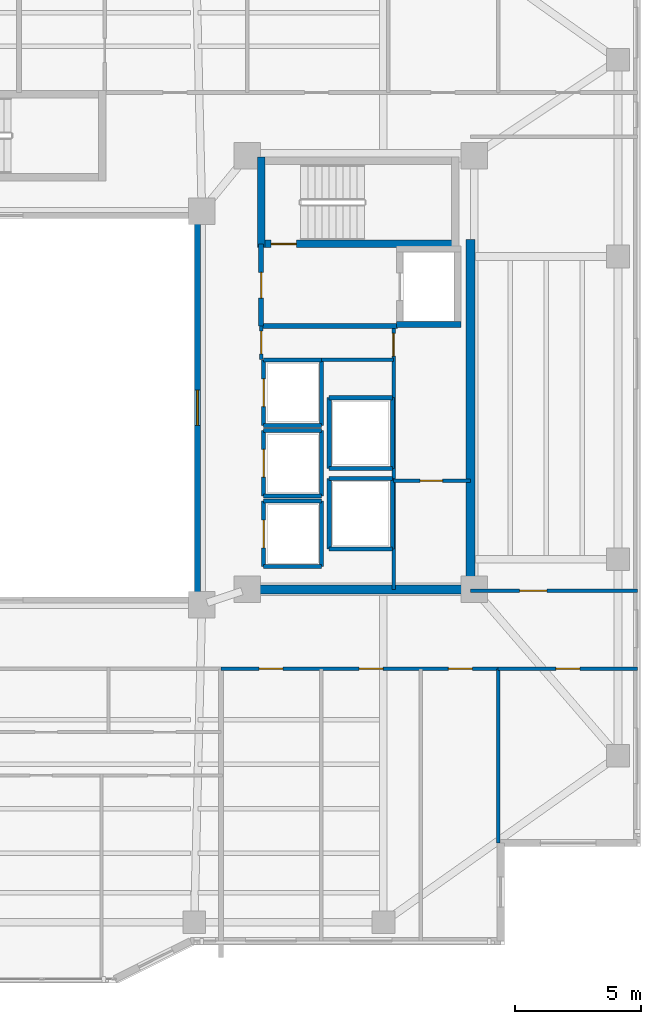
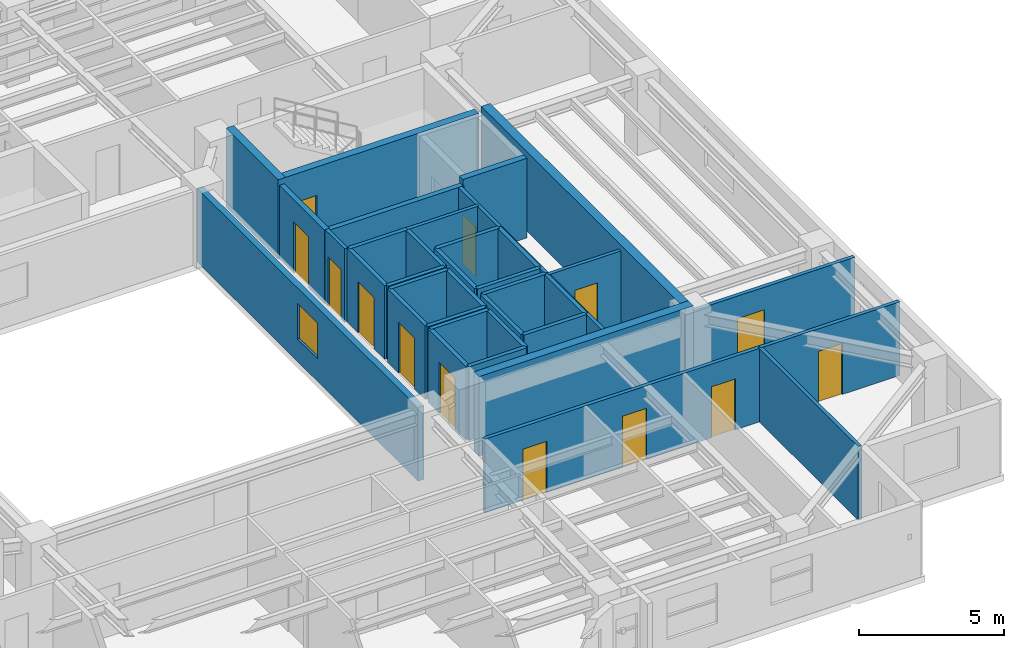
# One storey, part 8 of 15: 36 walls, 13 doors, 1 window, 14 openings.
"""IFC4 building model written with IfcOpenShell, lengths in metres."""

from ifc_helpers import new_model, si_unit, direction, frame, frame_2d, origin, place, context, subcontext, project, spatial, rectangle, extrude, material, layer, layer_set, type_object, element, fill, save


model = new_model("IFC4")

# Units and contexts
model_context = context("Model", 3, precision=1e-05, world=origin(), true_north=direction((0.0, 1.0)))
body_context = subcontext(model_context, "Body", "Model", "MODEL_VIEW")
ifc_project = project(units=[si_unit("LENGTHUNIT", "METRE"), si_unit("AREAUNIT", "SQUARE_METRE"), si_unit("VOLUMEUNIT", "CUBIC_METRE"), si_unit("PLANEANGLEUNIT", "RADIAN"), si_unit("MASSUNIT", "GRAM", prefix="KILO")], contexts=[model_context])

# Site, building, storey
site_placement = place(None, origin())
site = spatial("IfcSite", under=ifc_project, at=site_placement, CompositionType="ELEMENT")
building_placement = place(site_placement, origin())
building = spatial("IfcBuilding", under=site, at=building_placement, Name="Tarnavaz Court Tower", CompositionType="ELEMENT")
storey_placement = place(building_placement, frame((0.0, 0.0, 139.300048828125)))
storey = spatial("IfcBuildingStorey", under=building, at=storey_placement, Name="L37", CompositionType="ELEMENT", Elevation=139.300048828125)

# Wall
ifc_material_1 = material(Name="Concrete C50/60", Category="concrete")
ifc_layer_1 = layer(ifc_material_1, 0.25)
ifc_layer_set_1 = layer_set([ifc_layer_1], Name="Concrete C50/60")
wall_type_1 = type_object("IfcWallType", Name="WL-CORE-250-C50", PredefinedType="SHEAR", material=ifc_layer_set_1)
wall_1_placement = place(storey_placement, frame((15.52490234375, 3.300048828125, 0.0), z_axis=(0.0, 0.0, 1.0), x_axis=(1.0, 0.0, 0.0)))
element("IfcWall", 1, at=wall_1_placement, inside=storey, type_object=wall_type_1, Name="L37 Lift FL-E1 Shaft Wall 035", PredefinedType="SHEAR", context=body_context, shape_type="SweptSolid", body=[
    extrude(rectangle(XDim=2.550048828125, YDim=0.25, at=frame_2d((1.27490234375, 0.0))), origin(), (0.0, 0.0, 1.0), 3.349853515625),
])

# Wall, opening, door
ifc_layer_2 = layer(ifc_material_1, 0.300048828125)
ifc_layer_set_2 = layer_set([ifc_layer_2], Name="Concrete C50/60")
wall_type_2 = type_object("IfcWallType", Name="WL-CORE-300-C50", PredefinedType="SHEAR", material=ifc_layer_set_2)
wall_2_placement = place(storey_placement, frame((10.0, 6.5, 0.0), z_axis=(0.0, 0.0, 1.0), x_axis=(1.0, 0.0, 0.0)))
wall_2 = element("IfcWall", 2, at=wall_2_placement, inside=storey, type_object=wall_type_2, Name="L37 East Stair Core Wall 006", PredefinedType="SHEAR", context=body_context, shape_type="SweptSolid", body=[
    extrude(rectangle(XDim=8.0, YDim=0.300048828125, at=frame_2d((4.0, 0.0))), origin(), (0.0, 0.0, 1.0), 3.349853515625),
])
opening_1_placement = place(wall_2_placement, frame((0.550048828125, 0.0, 0.0)))
opening_1 = element("IfcOpeningElement", 3, at=opening_1_placement, cuts=wall_2, Name="Opening D01", PredefinedType="OPENING", context=body_context, shape_type="SweptSolid", body=[
    extrude(rectangle(XDim=1.0, YDim=2.14990234375, at=frame_2d((0.5, 1.074951171875))), frame((0.0, 0.159912109375, 0.0), z_axis=(0.0, -1.0, 0.0), x_axis=(1.0, 0.0, 0.0)), (0.0, 0.0, 1.0), 0.320068359375),
])
ifc_material_2 = material(Name="Fire-Rated Hardwood Timber Core", Category="wood")
door_type_1 = type_object("IfcDoorType", Name="DR-FD90-1000", OperationType="NOTDEFINED", PredefinedType="DOOR", material=ifc_material_2)
door_1_placement = place(opening_1_placement, origin())
door_1 = element("IfcDoor", 4, at=door_1_placement, inside=storey, type_object=door_type_1, Name="L37 Stair ST-E1 Exit Door", OperationType="SINGLE_SWING_RIGHT", OverallHeight=2.14990234375, OverallWidth=1.0, PredefinedType="DOOR", context=body_context, shape_type="SweptSolid", body=[
    extrude(rectangle(XDim=1.0, YDim=2.14990234375, at=frame_2d((0.5, 1.074951171875))), frame((0.0, 0.02490234375, 0.0), z_axis=(0.0, -1.0, 0.0), x_axis=(1.0, 0.0, 0.0)), (0.0, 0.0, 1.0), 0.050048828125),
])
fill(opening_1, door_1)

# Walls
wall_3_placement = place(storey_placement, frame((10.14990234375, 6.35009765625, 0.0), z_axis=(0.0, 0.0, 1.0), x_axis=(0.0, 1.0, 0.0)))
element("IfcWall", 5, at=wall_3_placement, inside=storey, type_object=wall_type_2, Name="L37 East Stair Core Wall 007", PredefinedType="SHEAR", context=body_context, shape_type="SweptSolid", body=[
    extrude(rectangle(XDim=3.58984375, YDim=0.300048828125, at=frame_2d((1.794921875, 0.0))), origin(), (0.0, 0.0, 1.0), 3.349853515625),
])
ifc_layer_3 = layer(ifc_material_1, 0.35009765625)
ifc_layer_set_3 = layer_set([ifc_layer_3], Name="Concrete C50/60")
wall_type_3 = type_object("IfcWallType", Name="WL-CORE-350-C50", PredefinedType="SHEAR", material=ifc_layer_set_3)
wall_4_placement = place(storey_placement, frame((18.449951171875, -7.375, 0.0), z_axis=(0.0, 0.0, 1.0), x_axis=(0.0, 1.0, 0.0)))
element("IfcWall", 6, at=wall_4_placement, inside=storey, type_object=wall_type_3, Name="L37 East Core Shear Wall 059", PredefinedType="SHEAR", context=body_context, shape_type="SweptSolid", body=[
    extrude(rectangle(XDim=14.050048828125, YDim=0.35009765625, at=frame_2d((7.02490234375, 0.0))), origin(), (0.0, 0.0, 1.0), 3.349853515625),
])
wall_5_placement = place(storey_placement, frame((10.074951171875, -7.199951171875, 0.0), z_axis=(0.0, 0.0, 1.0), x_axis=(1.0, 0.0, 0.0)))
element("IfcWall", 7, at=wall_5_placement, inside=storey, type_object=wall_type_3, Name="L37 East Core South Shear Wall 060", PredefinedType="SHEAR", context=body_context, shape_type="SweptSolid", body=[
    extrude(rectangle(XDim=8.550048828125, YDim=0.35009765625, at=frame_2d((4.27490234375, 0.0))), origin(), (0.0, 0.0, 1.0), 3.349853515625),
])

# Wall, openings, doors
ifc_material_3 = material(Name="Gypsum Fire-Board on Acoustic Metal Stud", Category="masonry")
ifc_layer_4 = layer(ifc_material_3, 0.14990234375)
ifc_layer_set_4 = layer_set([ifc_layer_4], Name="Gypsum Fire-Board on Acoustic Metal Stud")
wall_type_4 = type_object("IfcWallType", Name="WL-FIRE-150", PredefinedType="PARTITIONING", material=ifc_layer_set_4)
wall_6_placement = place(storey_placement, frame((8.550048828125, -10.35009765625, 0.0), z_axis=(0.0, 0.0, 1.0), x_axis=(1.0, 0.0, 0.0)))
wall_6 = element("IfcWall", 8, at=wall_6_placement, inside=storey, type_object=wall_type_4, Name="L37 SE Horseshoe Wall 074", PredefinedType="PARTITIONING", context=body_context, shape_type="SweptSolid", body=[
    extrude(rectangle(XDim=11.0, YDim=0.14990234375, at=frame_2d((5.5, 0.0))), origin(), (0.0, 0.0, 1.0), 3.099853515625),
])
opening_2_placement = place(wall_6_placement, frame((1.51611328125, 0.0, 0.0)))
opening_2 = element("IfcOpeningElement", 9, at=opening_2_placement, cuts=wall_6, Name="Opening D13", PredefinedType="OPENING", context=body_context, shape_type="SweptSolid", body=[
    extrude(rectangle(XDim=0.949951171875, YDim=2.14990234375, at=frame_2d((0.47509765625, 1.074951171875))), frame((0.0, 0.0849609375, 0.0), z_axis=(0.0, -1.0, 0.0), x_axis=(1.0, 0.0, 0.0)), (0.0, 0.0, 1.0), 0.169921875),
])
opening_3_placement = place(wall_6_placement, frame((5.488037109375, 0.0, 0.0)))
opening_3 = element("IfcOpeningElement", 10, at=opening_3_placement, cuts=wall_6, Name="Opening D13", PredefinedType="OPENING", context=body_context, shape_type="SweptSolid", body=[
    extrude(rectangle(XDim=0.949951171875, YDim=2.14990234375, at=frame_2d((0.47509765625, 1.074951171875))), frame((0.0, 0.0849609375, 0.0), z_axis=(0.0, -1.0, 0.0), x_axis=(1.0, 0.0, 0.0)), (0.0, 0.0, 1.0), 0.169921875),
])
opening_4_placement = place(wall_6_placement, frame((9.02197265625, 0.0, 0.0)))
opening_4 = element("IfcOpeningElement", 11, at=opening_4_placement, cuts=wall_6, Name="Opening D13", PredefinedType="OPENING", context=body_context, shape_type="SweptSolid", body=[
    extrude(rectangle(XDim=0.949951171875, YDim=2.14990234375, at=frame_2d((0.47509765625, 1.074951171875))), frame((0.0, 0.0849609375, 0.0), z_axis=(0.0, -1.0, 0.0), x_axis=(1.0, 0.0, 0.0)), (0.0, 0.0, 1.0), 0.169921875),
])
ifc_material_4 = material(Name="Engineered Oak Timber", Category="wood")
door_type_2 = type_object("IfcDoorType", Name="DR-INT-950", OperationType="NOTDEFINED", PredefinedType="DOOR", material=ifc_material_4)
door_2_placement = place(opening_2_placement, origin())
door_2 = element("IfcDoor", 12, at=door_2_placement, inside=storey, type_object=door_type_2, Name="L37 Resident Community Meeting Room Door", OperationType="SINGLE_SWING_RIGHT", OverallHeight=2.14990234375, OverallWidth=0.949951171875, PredefinedType="DOOR", context=body_context, shape_type="SweptSolid", body=[
    extrude(rectangle(XDim=0.949951171875, YDim=2.14990234375, at=frame_2d((0.47509765625, 1.074951171875))), frame((0.0, 0.02490234375, 0.0), z_axis=(0.0, -1.0, 0.0), x_axis=(1.0, 0.0, 0.0)), (0.0, 0.0, 1.0), 0.050048828125),
])
fill(opening_2, door_2)
door_3_placement = place(opening_3_placement, origin())
door_3 = element("IfcDoor", 13, at=door_3_placement, inside=storey, type_object=door_type_2, Name="L37 Craft and Maker Workshop Room Door", OperationType="SINGLE_SWING_LEFT", OverallHeight=2.14990234375, OverallWidth=0.949951171875, PredefinedType="DOOR", context=body_context, shape_type="SweptSolid", body=[
    extrude(rectangle(XDim=0.949951171875, YDim=2.14990234375, at=frame_2d((0.47509765625, 1.074951171875))), frame((0.0, 0.02490234375, 0.0), z_axis=(0.0, -1.0, 0.0), x_axis=(1.0, 0.0, 0.0)), (0.0, 0.0, 1.0), 0.050048828125),
])
fill(opening_3, door_3)
door_4_placement = place(opening_4_placement, origin())
door_4 = element("IfcDoor", 14, at=door_4_placement, inside=storey, type_object=door_type_2, Name="L37 Accessible Washroom WC Door", OperationType="SINGLE_SWING_RIGHT", OverallHeight=2.14990234375, OverallWidth=0.949951171875, PredefinedType="DOOR", context=body_context, shape_type="SweptSolid", body=[
    extrude(rectangle(XDim=0.949951171875, YDim=2.14990234375, at=frame_2d((0.47509765625, 1.074951171875))), frame((0.0, 0.02490234375, 0.0), z_axis=(0.0, -1.0, 0.0), x_axis=(1.0, 0.0, 0.0)), (0.0, 0.0, 1.0), 0.050048828125),
])
fill(opening_4, door_4)

# Wall, opening, door
wall_7_placement = place(storey_placement, frame((18.449951171875, -7.25, 0.0), z_axis=(0.0, 0.0, 1.0), x_axis=(1.0, 0.0, 0.0)))
wall_7 = element("IfcWall", 15, at=wall_7_placement, inside=storey, type_object=wall_type_4, Name="L37 Interior Partition 097", PredefinedType="PARTITIONING", context=body_context, shape_type="SweptSolid", body=[
    extrude(rectangle(XDim=6.630126953125, YDim=0.14990234375, at=frame_2d((3.31494140625, 0.0))), origin(), (0.0, 0.0, 1.0), 3.099853515625),
])
opening_5_placement = place(wall_7_placement, frame((1.949951171875, 0.0, 0.0)))
opening_5 = element("IfcOpeningElement", 16, at=opening_5_placement, cuts=wall_7, Name="Opening D12", PredefinedType="OPENING", context=body_context, shape_type="SweptSolid", body=[
    extrude(rectangle(XDim=1.080078125, YDim=2.14990234375, at=frame_2d((0.5400390625, 1.074951171875))), frame((0.0, 0.0849609375, 0.0), z_axis=(0.0, -1.0, 0.0), x_axis=(1.0, 0.0, 0.0)), (0.0, 0.0, 1.0), 0.169921875),
])
door_type_3 = type_object("IfcDoorType", Name="DR-INT-1100", OperationType="NOTDEFINED", PredefinedType="DOOR", material=ifc_material_4)
door_5_placement = place(opening_5_placement, origin())
door_5 = element("IfcDoor", 17, at=door_5_placement, inside=storey, type_object=door_type_3, Name="L37 East Fitness Lounge Door", OperationType="SINGLE_SWING_RIGHT", OverallHeight=2.14990234375, OverallWidth=1.080078125, PredefinedType="DOOR", context=body_context, shape_type="SweptSolid", body=[
    extrude(rectangle(XDim=1.080078125, YDim=2.14990234375, at=frame_2d((0.5400390625, 1.074951171875))), frame((0.0, 0.02490234375, 0.0), z_axis=(0.0, -1.0, 0.0), x_axis=(1.0, 0.0, 0.0)), (0.0, 0.0, 1.0), 0.050048828125),
])
fill(opening_5, door_5)

wall_8_placement = place(storey_placement, frame((19.550048828125, -10.35009765625, 0.0), z_axis=(0.0, 0.0, 1.0), x_axis=(1.0, 0.0, 0.0)))
wall_8 = element("IfcWall", 18, at=wall_8_placement, inside=storey, type_object=wall_type_4, Name="L37 Interior Partition 106", PredefinedType="PARTITIONING", context=body_context, shape_type="SweptSolid", body=[
    extrude(rectangle(XDim=5.530029296875, YDim=0.14990234375, at=frame_2d((2.76513671875, 0.0))), origin(), (0.0, 0.0, 1.0), 3.099853515625),
])
opening_6_placement = place(wall_8_placement, frame((2.2900390625, 0.0, 0.0)))
opening_6 = element("IfcOpeningElement", 19, at=opening_6_placement, cuts=wall_8, Name="Opening D13", PredefinedType="OPENING", context=body_context, shape_type="SweptSolid", body=[
    extrude(rectangle(XDim=0.949951171875, YDim=2.14990234375, at=frame_2d((0.47509765625, 1.074951171875))), frame((0.0, 0.0849609375, 0.0), z_axis=(0.0, -1.0, 0.0), x_axis=(1.0, 0.0, 0.0)), (0.0, 0.0, 1.0), 0.169921875),
])
door_6_placement = place(opening_6_placement, origin())
door_6 = element("IfcDoor", 20, at=door_6_placement, inside=storey, type_object=door_type_2, Name="L37 SE Reading Room Door", OperationType="SINGLE_SWING_RIGHT", OverallHeight=2.14990234375, OverallWidth=0.949951171875, PredefinedType="DOOR", context=body_context, shape_type="SweptSolid", body=[
    extrude(rectangle(XDim=0.949951171875, YDim=2.14990234375, at=frame_2d((0.47509765625, 1.074951171875))), frame((0.0, 0.02490234375, 0.0), z_axis=(0.0, -1.0, 0.0), x_axis=(1.0, 0.0, 0.0)), (0.0, 0.0, 1.0), 0.050048828125),
])
fill(opening_6, door_6)

# Wall
ifc_material_5 = material(Name="Autoclaved Aerated Concrete Blockwork", Category="masonry")
ifc_layer_5 = layer(ifc_material_5, 0.199951171875)
ifc_layer_set_5 = layer_set([ifc_layer_5], Name="Autoclaved Aerated Concrete Blockwork")
wall_type_5 = type_object("IfcWallType", Name="WL-FIRE-200", PredefinedType="SOLIDWALL", material=ifc_layer_set_5)
wall_9_placement = place(storey_placement, frame((10.14990234375, 3.25, 0.0), z_axis=(0.0, 0.0, 1.0), x_axis=(1.0, 0.0, 0.0)))
element("IfcWall", 21, at=wall_9_placement, inside=storey, type_object=wall_type_5, Name="L37 East Firefighting Lobby Wall 015", PredefinedType="SOLIDWALL", context=body_context, shape_type="SweptSolid", body=[
    extrude(rectangle(XDim=5.400146484375, YDim=0.199951171875, at=frame_2d((2.7001953125, 0.0))), origin(), (0.0, 0.0, 1.0), 3.099853515625),
])

# Wall, opening, door
wall_10_placement = place(storey_placement, frame((10.14990234375, 3.25, 0.0), z_axis=(0.0, 0.0, 1.0), x_axis=(0.0, 1.0, 0.0)))
wall_10 = element("IfcWall", 22, at=wall_10_placement, inside=storey, type_object=wall_type_5, Name="L37 East Firefighting Lobby Wall 016", PredefinedType="SOLIDWALL", context=body_context, shape_type="SweptSolid", body=[
    extrude(rectangle(XDim=3.25, YDim=0.199951171875, at=frame_2d((1.625, 0.0))), origin(), (0.0, 0.0, 1.0), 3.099853515625),
])
opening_7_placement = place(wall_10_placement, frame((1.10009765625, 0.0, 0.0)))
opening_7 = element("IfcOpeningElement", 23, at=opening_7_placement, cuts=wall_10, Name="Opening D05", PredefinedType="OPENING", context=body_context, shape_type="SweptSolid", body=[
    extrude(rectangle(XDim=1.02001953125, YDim=2.14990234375, at=frame_2d((0.510009765625, 1.074951171875))), frame((0.0, 0.10986328125, 0.0), z_axis=(0.0, -1.0, 0.0), x_axis=(1.0, 0.0, 0.0)), (0.0, 0.0, 1.0), 0.219970703125),
])
door_type_4 = type_object("IfcDoorType", Name="DR-FD60-1000", OperationType="NOTDEFINED", PredefinedType="DOOR", material=ifc_material_2)
door_7_placement = place(opening_7_placement, origin())
door_7 = element("IfcDoor", 24, at=door_7_placement, inside=storey, type_object=door_type_4, Name="L37 East Firefighting Lobby Door", OperationType="SINGLE_SWING_LEFT", OverallHeight=2.14990234375, OverallWidth=1.02001953125, PredefinedType="DOOR", context=body_context, shape_type="SweptSolid", body=[
    extrude(rectangle(XDim=1.02001953125, YDim=2.14990234375, at=frame_2d((0.510009765625, 1.074951171875))), frame((0.0, 0.02490234375, 0.0), z_axis=(0.0, -1.0, 0.0), x_axis=(1.0, 0.0, 0.0)), (0.0, 0.0, 1.0), 0.050048828125),
])
fill(opening_7, door_7)

# Wall
ifc_material_6 = material(Name="Gypsum Plasterboard Acoustic Partition", Category="masonry")
ifc_layer_6 = layer(ifc_material_6, 0.139892578125)
ifc_layer_set_6 = layer_set([ifc_layer_6], Name="Gypsum Plasterboard Acoustic Partition")
wall_type_6 = type_object("IfcWallType", Name="WL-PART-150", PredefinedType="PARTITIONING", material=ifc_layer_set_6)
wall_11_placement = place(storey_placement, frame((12.550048828125, 1.89990234375, 0.0), z_axis=(0.0, 0.0, 1.0), x_axis=(1.0, 0.0, 0.0)))
element("IfcWall", 25, at=wall_11_placement, inside=storey, type_object=wall_type_6, Name="L37 Interior Partition 067", PredefinedType="PARTITIONING", context=body_context, shape_type="SweptSolid", body=[
    extrude(rectangle(XDim=2.849853515625, YDim=0.139892578125, at=frame_2d((1.4248046875, 0.0))), origin(), (0.0, 0.0, 1.0), 3.099853515625),
])

# Wall, opening, door
wall_12_placement = place(storey_placement, frame((10.14990234375, 1.919921875, 0.0), z_axis=(0.0, 0.0, 1.0), x_axis=(0.0, 1.0, 0.0)))
wall_12 = element("IfcWall", 26, at=wall_12_placement, inside=storey, type_object=wall_type_6, Name="L37 Interior Partition 068", PredefinedType="PARTITIONING", context=body_context, shape_type="SweptSolid", body=[
    extrude(rectangle(XDim=1.330078125, YDim=0.139892578125, at=frame_2d((0.6650390625, 0.0))), origin(), (0.0, 0.0, 1.0), 3.099853515625),
])
opening_8_placement = place(wall_12_placement, frame((0.219970703125, 0.0, 0.0)))
opening_8 = element("IfcOpeningElement", 27, at=opening_8_placement, cuts=wall_12, Name="Opening D09", PredefinedType="OPENING", context=body_context, shape_type="SweptSolid", body=[
    extrude(rectangle(XDim=0.89990234375, YDim=2.080078125, at=frame_2d((0.449951171875, 1.0400390625))), frame((0.0, 0.079833984375, 0.0), z_axis=(0.0, -1.0, 0.0), x_axis=(1.0, 0.0, 0.0)), (0.0, 0.0, 1.0), 0.159912109375),
])
door_type_5 = type_object("IfcDoorType", Name="DR-FD30-900", OperationType="NOTDEFINED", PredefinedType="DOOR", material=ifc_material_2)
door_8_placement = place(opening_8_placement, origin())
door_8 = element("IfcDoor", 28, at=door_8_placement, inside=storey, type_object=door_type_5, Name="L37 East Core Service Lobby Door", OperationType="SINGLE_SWING_RIGHT", OverallHeight=2.080078125, OverallWidth=0.89990234375, PredefinedType="DOOR", context=body_context, shape_type="SweptSolid", body=[
    extrude(rectangle(XDim=0.89990234375, YDim=2.080078125, at=frame_2d((0.449951171875, 1.0400390625))), frame((0.0, 0.02490234375, 0.0), z_axis=(0.0, -1.0, 0.0), x_axis=(1.0, 0.0, 0.0)), (0.0, 0.0, 1.0), 0.050048828125),
])
fill(opening_8, door_8)

wall_13_placement = place(storey_placement, frame((15.39990234375, -7.199951171875, 0.0), z_axis=(0.0, 0.0, 1.0), x_axis=(0.0, 1.0, 0.0)))
wall_13 = element("IfcWall", 29, at=wall_13_placement, inside=storey, type_object=wall_type_6, Name="L37 Interior Partition 069", PredefinedType="PARTITIONING", context=body_context, shape_type="SweptSolid", body=[
    extrude(rectangle(XDim=10.449951171875, YDim=0.139892578125, at=frame_2d((5.22509765625, 0.0))), origin(), (0.0, 0.0, 1.0), 3.099853515625),
])
opening_9_placement = place(wall_13_placement, frame((9.25, 0.0, 0.0)))
opening_9 = element("IfcOpeningElement", 30, at=opening_9_placement, cuts=wall_13, Name="Opening D09", PredefinedType="OPENING", context=body_context, shape_type="SweptSolid", body=[
    extrude(rectangle(XDim=0.89990234375, YDim=2.080078125, at=frame_2d((0.449951171875, 1.0400390625))), frame((0.0, 0.079833984375, 0.0), z_axis=(0.0, -1.0, 0.0), x_axis=(1.0, 0.0, 0.0)), (0.0, 0.0, 1.0), 0.159912109375),
])
door_9_placement = place(opening_9_placement, origin())
door_9 = element("IfcDoor", 31, at=door_9_placement, inside=storey, type_object=door_type_5, Name="L37 East Wet Riser Door", OperationType="SINGLE_SWING_LEFT", OverallHeight=2.080078125, OverallWidth=0.89990234375, PredefinedType="DOOR", context=body_context, shape_type="SweptSolid", body=[
    extrude(rectangle(XDim=0.89990234375, YDim=2.080078125, at=frame_2d((0.449951171875, 1.0400390625))), frame((0.0, 0.02490234375, 0.0), z_axis=(0.0, -1.0, 0.0), x_axis=(1.0, 0.0, 0.0)), (0.0, 0.0, 1.0), 0.050048828125),
])
fill(opening_9, door_9)

wall_14_placement = place(storey_placement, frame((15.39990234375, -2.889892578125, 0.0), z_axis=(0.0, 0.0, 1.0), x_axis=(1.0, 0.0, 0.0)))
wall_14 = element("IfcWall", 32, at=wall_14_placement, inside=storey, type_object=wall_type_6, Name="L37 Interior Partition 070", PredefinedType="PARTITIONING", context=body_context, shape_type="SweptSolid", body=[
    extrude(rectangle(XDim=3.050048828125, YDim=0.139892578125, at=frame_2d((1.52490234375, 0.0))), origin(), (0.0, 0.0, 1.0), 3.099853515625),
])
opening_10_placement = place(wall_14_placement, frame((1.050048828125, 0.0, 0.0)))
opening_10 = element("IfcOpeningElement", 33, at=opening_10_placement, cuts=wall_14, Name="Opening D09", PredefinedType="OPENING", context=body_context, shape_type="SweptSolid", body=[
    extrude(rectangle(XDim=0.89990234375, YDim=2.080078125, at=frame_2d((0.449951171875, 1.0400390625))), frame((0.0, 0.079833984375, 0.0), z_axis=(0.0, -1.0, 0.0), x_axis=(1.0, 0.0, 0.0)), (0.0, 0.0, 1.0), 0.159912109375),
])
door_10_placement = place(opening_10_placement, origin())
door_10 = element("IfcDoor", 34, at=door_10_placement, inside=storey, type_object=door_type_5, Name="L37 East Electrical Plant Door", OperationType="SINGLE_SWING_RIGHT", OverallHeight=2.080078125, OverallWidth=0.89990234375, PredefinedType="DOOR", context=body_context, shape_type="SweptSolid", body=[
    extrude(rectangle(XDim=0.89990234375, YDim=2.080078125, at=frame_2d((0.449951171875, 1.0400390625))), frame((0.0, 0.02490234375, 0.0), z_axis=(0.0, -1.0, 0.0), x_axis=(1.0, 0.0, 0.0)), (0.0, 0.0, 1.0), 0.050048828125),
])
fill(opening_10, door_10)

# Wall
wall_15_placement = place(storey_placement, frame((19.550048828125, -17.25, 0.0), z_axis=(0.0, 0.0, 1.0), x_axis=(0.0, 1.0, 0.0)))
element("IfcWall", 35, at=wall_15_placement, inside=storey, type_object=wall_type_6, Name="L37 Interior Partition 100", PredefinedType="PARTITIONING", context=body_context, shape_type="SweptSolid", body=[
    extrude(rectangle(XDim=6.89990234375, YDim=0.139892578125, at=frame_2d((3.449951171875, 0.0))), origin(), (0.0, 0.0, 1.0), 3.099853515625),
])

# Wall, opening, door
ifc_layer_7 = layer(ifc_material_5, 0.159912109375)
ifc_layer_set_7 = layer_set([ifc_layer_7], Name="Autoclaved Aerated Concrete Blockwork")
wall_type_7 = type_object("IfcWallType", Name="WL-SHAFT-150", PredefinedType="SOLIDWALL", material=ifc_layer_set_7)
wall_16_placement = place(storey_placement, frame((10.25, -6.300048828125, 0.0), z_axis=(0.0, 0.0, 1.0), x_axis=(0.0, 1.0, 0.0)))
wall_16 = element("IfcWall", 36, at=wall_16_placement, inside=storey, type_object=wall_type_7, Name="L37 Lift PL-M1 Shaft Wall 037", PredefinedType="SOLIDWALL", context=body_context, shape_type="SweptSolid", body=[
    extrude(rectangle(XDim=2.60009765625, YDim=0.159912109375, at=frame_2d((1.300048828125, 0.0))), origin(), (0.0, 0.0, 1.0), 3.099853515625),
])
opening_11_placement = place(wall_16_placement, frame((0.75, 0.0, 0.0)))
opening_11 = element("IfcOpeningElement", 37, at=opening_11_placement, cuts=wall_16, Name="Opening LD1", PredefinedType="OPENING", context=body_context, shape_type="SweptSolid", body=[
    extrude(rectangle(XDim=1.10009765625, YDim=2.14990234375, at=frame_2d((0.550048828125, 1.074951171875))), frame((0.0, 0.08984375, 0.0), z_axis=(0.0, -1.0, 0.0), x_axis=(1.0, 0.0, 0.0)), (0.0, 0.0, 1.0), 0.179931640625),
])
ifc_material_7 = material(Name="Stainless Steel", Category="steel")
door_type_6 = type_object("IfcDoorType", Name="DR-LD-1100", OperationType="NOTDEFINED", PredefinedType="DOOR", material=ifc_material_7)
door_11_placement = place(opening_11_placement, origin())
door_11 = element("IfcDoor", 38, at=door_11_placement, inside=storey, type_object=door_type_6, Name="L37 Lift Landing Door LD-PL-M1", OperationType="SLIDING_TO_LEFT", OverallHeight=2.14990234375, OverallWidth=1.10009765625, PredefinedType="DOOR", context=body_context, shape_type="SweptSolid", body=[
    extrude(rectangle(XDim=1.10009765625, YDim=2.14990234375, at=frame_2d((0.550048828125, 1.074951171875))), frame((0.0, 0.02490234375, 0.0), z_axis=(0.0, -1.0, 0.0), x_axis=(1.0, 0.0, 0.0)), (0.0, 0.0, 1.0), 0.050048828125),
])
fill(opening_11, door_11)

# Walls
wall_17_placement = place(storey_placement, frame((12.550048828125, -6.300048828125, 0.0), z_axis=(0.0, 0.0, 1.0), x_axis=(0.0, 1.0, 0.0)))
element("IfcWall", 39, at=wall_17_placement, inside=storey, type_object=wall_type_7, Name="L37 Lift PL-M1 Shaft Wall 038", PredefinedType="SOLIDWALL", context=body_context, shape_type="SweptSolid", body=[
    extrude(rectangle(XDim=2.60009765625, YDim=0.159912109375, at=frame_2d((1.300048828125, 0.0))), origin(), (0.0, 0.0, 1.0), 3.099853515625),
])
for number, where, z_axis, x_axis, name in (
    (40, (10.25, -6.300048828125, 0.0), (0.0, 0.0, 1.0), (1.0, 0.0, 0.0), "L37 Lift PL-M1 Shaft Wall 039"),
    (41, (10.25, -3.699951171875, 0.0), (0.0, 0.0, 1.0), (1.0, 0.0, 0.0), "L37 Lift PL-M1 Shaft Wall 040"),
):
    element("IfcWall", number, at=place(storey_placement, frame(where, z_axis=z_axis, x_axis=x_axis)), inside=storey, type_object=wall_type_7, Name=name, PredefinedType="SOLIDWALL", context=body_context, shape_type="SweptSolid", body=[
        extrude(rectangle(XDim=2.300048828125, YDim=0.159912109375, at=frame_2d((1.14990234375, 0.0))), origin(), (0.0, 0.0, 1.0), 3.099853515625),
    ])

# Wall, opening, door
wall_18_placement = place(storey_placement, frame((10.25, -3.5, 0.0), z_axis=(0.0, 0.0, 1.0), x_axis=(0.0, 1.0, 0.0)))
wall_18 = element("IfcWall", 42, at=wall_18_placement, inside=storey, type_object=wall_type_7, Name="L37 Lift PL-M2 Shaft Wall 041", PredefinedType="SOLIDWALL", context=body_context, shape_type="SweptSolid", body=[
    extrude(rectangle(XDim=2.60009765625, YDim=0.159912109375, at=frame_2d((1.300048828125, 0.0))), origin(), (0.0, 0.0, 1.0), 3.099853515625),
])
opening_12_placement = place(wall_18_placement, frame((0.75, 0.0, 0.0)))
opening_12 = element("IfcOpeningElement", 43, at=opening_12_placement, cuts=wall_18, Name="Opening LD1", PredefinedType="OPENING", context=body_context, shape_type="SweptSolid", body=[
    extrude(rectangle(XDim=1.10009765625, YDim=2.14990234375, at=frame_2d((0.550048828125, 1.074951171875))), frame((0.0, 0.08984375, 0.0), z_axis=(0.0, -1.0, 0.0), x_axis=(1.0, 0.0, 0.0)), (0.0, 0.0, 1.0), 0.179931640625),
])
door_12_placement = place(opening_12_placement, origin())
door_12 = element("IfcDoor", 44, at=door_12_placement, inside=storey, type_object=door_type_6, Name="L37 Lift Landing Door LD-PL-M2", OperationType="SLIDING_TO_LEFT", OverallHeight=2.14990234375, OverallWidth=1.10009765625, PredefinedType="DOOR", context=body_context, shape_type="SweptSolid", body=[
    extrude(rectangle(XDim=1.10009765625, YDim=2.14990234375, at=frame_2d((0.550048828125, 1.074951171875))), frame((0.0, 0.02490234375, 0.0), z_axis=(0.0, -1.0, 0.0), x_axis=(1.0, 0.0, 0.0)), (0.0, 0.0, 1.0), 0.050048828125),
])
fill(opening_12, door_12)

# Walls
wall_19_placement = place(storey_placement, frame((12.550048828125, -3.5, 0.0), z_axis=(0.0, 0.0, 1.0), x_axis=(0.0, 1.0, 0.0)))
element("IfcWall", 45, at=wall_19_placement, inside=storey, type_object=wall_type_7, Name="L37 Lift PL-M2 Shaft Wall 042", PredefinedType="SOLIDWALL", context=body_context, shape_type="SweptSolid", body=[
    extrude(rectangle(XDim=2.60009765625, YDim=0.159912109375, at=frame_2d((1.300048828125, 0.0))), origin(), (0.0, 0.0, 1.0), 3.099853515625),
])
for number, where, z_axis, x_axis, name in (
    (46, (10.25, -3.5, 0.0), (0.0, 0.0, 1.0), (1.0, 0.0, 0.0), "L37 Lift PL-M2 Shaft Wall 043"),
    (47, (10.25, -0.89990234375, 0.0), (0.0, 0.0, 1.0), (1.0, 0.0, 0.0), "L37 Lift PL-M2 Shaft Wall 044"),
):
    element("IfcWall", number, at=place(storey_placement, frame(where, z_axis=z_axis, x_axis=x_axis)), inside=storey, type_object=wall_type_7, Name=name, PredefinedType="SOLIDWALL", context=body_context, shape_type="SweptSolid", body=[
        extrude(rectangle(XDim=2.300048828125, YDim=0.159912109375, at=frame_2d((1.14990234375, 0.0))), origin(), (0.0, 0.0, 1.0), 3.099853515625),
    ])

# Wall, opening, door
wall_20_placement = place(storey_placement, frame((10.25, -0.699951171875, 0.0), z_axis=(0.0, 0.0, 1.0), x_axis=(0.0, 1.0, 0.0)))
wall_20 = element("IfcWall", 48, at=wall_20_placement, inside=storey, type_object=wall_type_7, Name="L37 Lift PL-M3 Shaft Wall 045", PredefinedType="SOLIDWALL", context=body_context, shape_type="SweptSolid", body=[
    extrude(rectangle(XDim=2.599853515625, YDim=0.159912109375, at=frame_2d((1.2998046875, 0.0))), origin(), (0.0, 0.0, 1.0), 3.099853515625),
])
opening_13_placement = place(wall_20_placement, frame((0.75, 0.0, 0.0)))
opening_13 = element("IfcOpeningElement", 49, at=opening_13_placement, cuts=wall_20, Name="Opening LD1", PredefinedType="OPENING", context=body_context, shape_type="SweptSolid", body=[
    extrude(rectangle(XDim=1.10009765625, YDim=2.14990234375, at=frame_2d((0.550048828125, 1.074951171875))), frame((0.0, 0.08984375, 0.0), z_axis=(0.0, -1.0, 0.0), x_axis=(1.0, 0.0, 0.0)), (0.0, 0.0, 1.0), 0.179931640625),
])
door_13_placement = place(opening_13_placement, origin())
door_13 = element("IfcDoor", 50, at=door_13_placement, inside=storey, type_object=door_type_6, Name="L37 Lift Landing Door LD-PL-M3", OperationType="SLIDING_TO_LEFT", OverallHeight=2.14990234375, OverallWidth=1.10009765625, PredefinedType="DOOR", context=body_context, shape_type="SweptSolid", body=[
    extrude(rectangle(XDim=1.10009765625, YDim=2.14990234375, at=frame_2d((0.550048828125, 1.074951171875))), frame((0.0, 0.02490234375, 0.0), z_axis=(0.0, -1.0, 0.0), x_axis=(1.0, 0.0, 0.0)), (0.0, 0.0, 1.0), 0.050048828125),
])
fill(opening_13, door_13)

# Walls
wall_21_placement = place(storey_placement, frame((12.550048828125, -0.699951171875, 0.0), z_axis=(0.0, 0.0, 1.0), x_axis=(0.0, 1.0, 0.0)))
element("IfcWall", 51, at=wall_21_placement, inside=storey, type_object=wall_type_7, Name="L37 Lift PL-M3 Shaft Wall 046", PredefinedType="SOLIDWALL", context=body_context, shape_type="SweptSolid", body=[
    extrude(rectangle(XDim=2.599853515625, YDim=0.159912109375, at=frame_2d((1.2998046875, 0.0))), origin(), (0.0, 0.0, 1.0), 3.099853515625),
])
for number, where, z_axis, x_axis, name in (
    (52, (10.25, -0.699951171875, 0.0), (0.0, 0.0, 1.0), (1.0, 0.0, 0.0), "L37 Lift PL-M3 Shaft Wall 047"),
    (53, (10.25, 1.89990234375, 0.0), (0.0, 0.0, 1.0), (1.0, 0.0, 0.0), "L37 Lift PL-M3 Shaft Wall 048"),
):
    element("IfcWall", number, at=place(storey_placement, frame(where, z_axis=z_axis, x_axis=x_axis)), inside=storey, type_object=wall_type_7, Name=name, PredefinedType="SOLIDWALL", context=body_context, shape_type="SweptSolid", body=[
        extrude(rectangle(XDim=2.300048828125, YDim=0.159912109375, at=frame_2d((1.14990234375, 0.0))), origin(), (0.0, 0.0, 1.0), 3.099853515625),
    ])
for number, where, z_axis, x_axis, name in (
    (54, (12.85009765625, -5.60009765625, 0.0), (0.0, 0.0, 1.0), (0.0, 1.0, 0.0), "L37 Lift PL-OB1 Shaft Wall 049"),
    (55, (15.35009765625, -5.60009765625, 0.0), (0.0, 0.0, 1.0), (0.0, 1.0, 0.0), "L37 Lift PL-OB1 Shaft Wall 050"),
):
    element("IfcWall", number, at=place(storey_placement, frame(where, z_axis=z_axis, x_axis=x_axis)), inside=storey, type_object=wall_type_7, Name=name, PredefinedType="SOLIDWALL", context=body_context, shape_type="SweptSolid", body=[
        extrude(rectangle(XDim=2.800048828125, YDim=0.159912109375, at=frame_2d((1.39990234375, 0.0))), origin(), (0.0, 0.0, 1.0), 3.099853515625),
    ])
for number, where, z_axis, x_axis, name in (
    (56, (12.85009765625, -5.60009765625, 0.0), (0.0, 0.0, 1.0), (1.0, 0.0, 0.0), "L37 Lift PL-OB1 Shaft Wall 051"),
    (57, (12.85009765625, -2.800048828125, 0.0), (0.0, 0.0, 1.0), (1.0, 0.0, 0.0), "L37 Lift PL-OB1 Shaft Wall 052"),
):
    element("IfcWall", number, at=place(storey_placement, frame(where, z_axis=z_axis, x_axis=x_axis)), inside=storey, type_object=wall_type_7, Name=name, PredefinedType="SOLIDWALL", context=body_context, shape_type="SweptSolid", body=[
        extrude(rectangle(XDim=2.5, YDim=0.159912109375, at=frame_2d((1.25, 0.0))), origin(), (0.0, 0.0, 1.0), 3.099853515625),
    ])
for number, where, z_axis, x_axis, name in (
    (58, (12.85009765625, -2.39990234375, 0.0), (0.0, 0.0, 1.0), (0.0, 1.0, 0.0), "L37 Lift PL-OB2 Shaft Wall 053"),
    (59, (15.35009765625, -2.39990234375, 0.0), (0.0, 0.0, 1.0), (0.0, 1.0, 0.0), "L37 Lift PL-OB2 Shaft Wall 054"),
):
    element("IfcWall", number, at=place(storey_placement, frame(where, z_axis=z_axis, x_axis=x_axis)), inside=storey, type_object=wall_type_7, Name=name, PredefinedType="SOLIDWALL", context=body_context, shape_type="SweptSolid", body=[
        extrude(rectangle(XDim=2.7998046875, YDim=0.159912109375, at=frame_2d((1.39990234375, 0.0))), origin(), (0.0, 0.0, 1.0), 3.099853515625),
    ])
for number, where, z_axis, x_axis, name in (
    (60, (12.85009765625, -2.39990234375, 0.0), (0.0, 0.0, 1.0), (1.0, 0.0, 0.0), "L37 Lift PL-OB2 Shaft Wall 055"),
    (61, (12.85009765625, 0.39990234375, 0.0), (0.0, 0.0, 1.0), (1.0, 0.0, 0.0), "L37 Lift PL-OB2 Shaft Wall 056"),
):
    element("IfcWall", number, at=place(storey_placement, frame(where, z_axis=z_axis, x_axis=x_axis)), inside=storey, type_object=wall_type_7, Name=name, PredefinedType="SOLIDWALL", context=body_context, shape_type="SweptSolid", body=[
        extrude(rectangle(XDim=2.5, YDim=0.159912109375, at=frame_2d((1.25, 0.0))), origin(), (0.0, 0.0, 1.0), 3.099853515625),
    ])

# Wall, opening, window
ifc_material_8 = material(Name="Precast Concrete C40/50", Category="concrete")
ifc_layer_8 = layer(ifc_material_8, 0.239990234375)
ifc_layer_set_8 = layer_set([ifc_layer_8], Name="Precast Concrete C40/50")
wall_type_8 = type_object("IfcWallType", Name="WL-WELL-240", PredefinedType="SOLIDWALL", material=ifc_layer_set_8)
wall_22_placement = place(storey_placement, frame((7.6201171875, -7.6201171875, 0.0), z_axis=(0.0, 0.0, 1.0), x_axis=(0.0, 1.0, 0.0)))
wall_22 = element("IfcWall", 62, at=wall_22_placement, inside=storey, type_object=wall_type_8, Name="L37 Badgir Light-Well Exterior Wall E", PredefinedType="SOLIDWALL", context=body_context, shape_type="SweptSolid", body=[
    extrude(rectangle(XDim=15.240234375, YDim=0.239990234375, at=frame_2d((7.6201171875, 0.0))), origin(), (0.0, 0.0, 1.0), 3.099853515625),
])
opening_14_placement = place(wall_22_placement, frame((6.919921875, 0.0, 0.949951171875)))
opening_14 = element("IfcOpeningElement", 63, at=opening_14_placement, cuts=wall_22, Name="Opening W13", PredefinedType="OPENING", context=body_context, shape_type="SweptSolid", body=[
    extrude(rectangle(XDim=1.39990234375, YDim=1.5, at=frame_2d((0.699951171875, 0.75))), frame((0.0, 0.1298828125, 0.0), z_axis=(0.0, -1.0, 0.0), x_axis=(1.0, 0.0, 0.0)), (0.0, 0.0, 1.0), 0.260009765625),
])
ifc_material_9 = material(Name="Double-Glazed Solar Low-E Glass", Category="glass")
window_type = type_object("IfcWindowType", Name="WN-WEL-1400", PartitioningType="SINGLE_PANEL", PredefinedType="WINDOW", material=ifc_material_9)
window_placement = place(opening_14_placement, origin())
window = element("IfcWindow", 64, at=window_placement, inside=storey, type_object=window_type, Name="L37 Courtyard Gallery Window E", OverallHeight=1.5, OverallWidth=1.39990234375, PartitioningType="SINGLE_PANEL", PredefinedType="WINDOW", context=body_context, shape_type="SweptSolid", body=[
    extrude(rectangle(XDim=1.39990234375, YDim=1.5, at=frame_2d((0.699951171875, 0.75))), frame((0.0, 0.030029296875, 0.0), z_axis=(0.0, -1.0, 0.0), x_axis=(1.0, 0.0, 0.0)), (0.0, 0.0, 1.0), 0.06005859375),
])
fill(opening_14, window)

save(model, "model.ifc")
